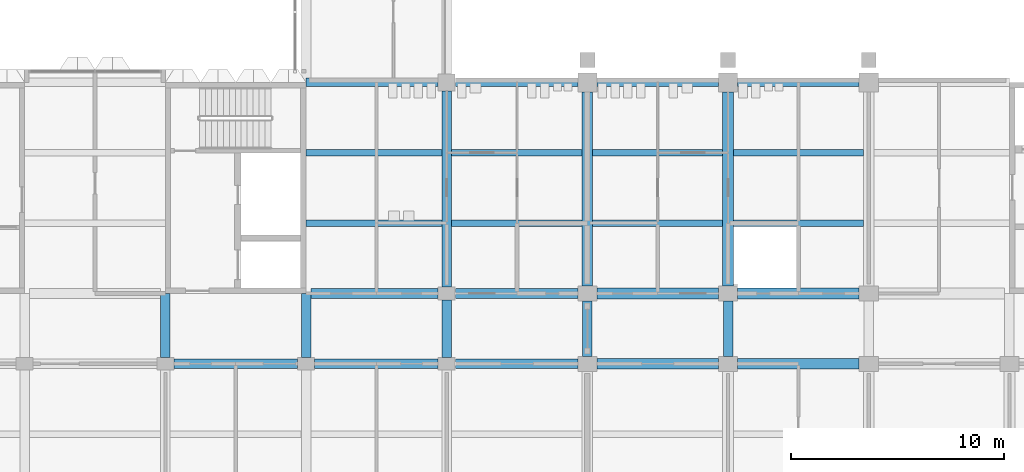
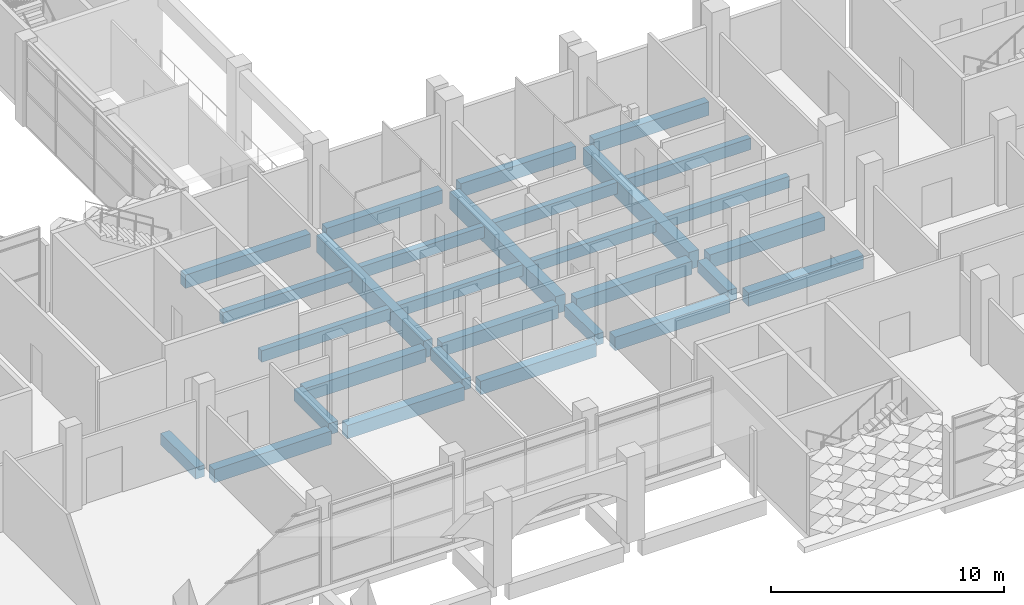
# One storey, part 8 of 87: 29 beams.
"""IFC4 building model written with IfcOpenShell, lengths in metres."""

from ifc_helpers import new_model, si_unit, direction, frame, origin, origin_2d, place, context, subcontext, project, spatial, rectangle, extrude, material, material_profile, profile_set, type_object, element, save


model = new_model("IFC4")

# Units and contexts
model_context = context("Model", 3, precision=1e-05, world=origin(), true_north=direction((0.0, 1.0)))
body_context = subcontext(model_context, "Body", "Model", "MODEL_VIEW")
ifc_project = project(units=[si_unit("LENGTHUNIT", "METRE"), si_unit("AREAUNIT", "SQUARE_METRE"), si_unit("VOLUMEUNIT", "CUBIC_METRE"), si_unit("PLANEANGLEUNIT", "RADIAN"), si_unit("MASSUNIT", "GRAM", prefix="KILO")], contexts=[model_context])

# Site, building, storey
site_placement = place(None, origin())
site = spatial("IfcSite", under=ifc_project, at=site_placement, CompositionType="ELEMENT")
building_placement = place(site_placement, origin())
building = spatial("IfcBuilding", under=site, at=building_placement, Name="Lantern Court Research Institute", CompositionType="ELEMENT")
storey_placement = place(building_placement, frame((0.0, 0.0, 5.39990234375)))
storey = spatial("IfcBuildingStorey", under=building, at=storey_placement, Name="L01", CompositionType="ELEMENT", Elevation=5.39990234375)

# Beams
ifc_material_1 = material(Name="Concrete C40/50", Category="concrete")
ifc_material_profile_1 = material_profile(ifc_material_1, rectangle(XDim=0.449951171875, YDim=0.699951171875, at=origin_2d()), Name="RC beam 450 x 700")
ifc_profile_set_1 = profile_set([ifc_material_profile_1], Name="Concrete C40/50")
beam_type_1 = type_object("IfcBeamType", Name="RC beam 450 x 700", PredefinedType="BEAM", material=ifc_profile_set_1)
for number, where, z_axis, x_axis, name in (
    (1, (33.39990234375, 9.89990234375, -0.64990234375), (1.0, 0.0, 0.0), (0.0, 1.0, 0.0), "Beam L01 grid B/6-7"),
    (2, (40.0, 9.89990234375, -0.64990234375), (1.0, 0.0, 0.0), (0.0, 1.0, 0.0), "Beam L01 grid B/7-8"),
):
    element("IfcBeam", number, at=place(storey_placement, frame(where, z_axis=z_axis, x_axis=x_axis)), inside=storey, type_object=beam_type_1, Name=name, PredefinedType="BEAM", context=body_context, shape_type="SweptSolid", body=[
        extrude(rectangle(XDim=0.449951171875, YDim=0.699951171875, at=origin_2d()), origin(), (0.0, 0.0, 1.0), 5.800048828125),
    ])
beam_1_placement = place(storey_placement, frame((46.60009765625, 9.89990234375, -0.64990234375), z_axis=(1.0, 0.0, 0.0), x_axis=(0.0, 1.0, 0.0)))
element("IfcBeam", 3, at=beam_1_placement, inside=storey, type_object=beam_type_1, Name="Beam L01 grid B/8-9", PredefinedType="BEAM", context=body_context, shape_type="SweptSolid", body=[
    extrude(rectangle(XDim=0.449951171875, YDim=0.699951171875, at=origin_2d()), origin(), (0.0, 0.0, 1.0), 5.75),
])
beam_2_placement = place(storey_placement, frame((39.824951171875, 13.199951171875, -0.64990234375), z_axis=(1.0, 0.0, 0.0), x_axis=(0.0, 1.0, 0.0)))
element("IfcBeam", 4, at=beam_2_placement, inside=storey, type_object=beam_type_1, Name="Beam L01 grid C/7-8", PredefinedType="BEAM", context=body_context, shape_type="SweptSolid", body=[
    extrude(rectangle(XDim=0.449951171875, YDim=0.699951171875, at=origin_2d()), origin(), (0.0, 0.0, 1.0), 5.97509765625),
])
beam_3_placement = place(storey_placement, frame((46.60009765625, 13.199951171875, -0.64990234375), z_axis=(1.0, 0.0, 0.0), x_axis=(0.0, 1.0, 0.0)))
element("IfcBeam", 5, at=beam_3_placement, inside=storey, type_object=beam_type_1, Name="Beam L01 grid C/8-9", PredefinedType="BEAM", context=body_context, shape_type="SweptSolid", body=[
    extrude(rectangle(XDim=0.449951171875, YDim=0.699951171875, at=origin_2d()), origin(), (0.0, 0.0, 1.0), 5.75),
])
ifc_material_2 = material(Name="Concrete C40/50", Category="concrete")
ifc_material_profile_2 = material_profile(ifc_material_2, rectangle(XDim=0.5, YDim=0.699951171875, at=origin_2d()), Name="RC beam 500 x 700")
ifc_profile_set_2 = profile_set([ifc_material_profile_2], Name="Concrete C40/50")
beam_type_2 = type_object("IfcBeamType", Name="RC beam 500 x 700", PredefinedType="BEAM", material=ifc_profile_set_2)
for number, where, z_axis, x_axis, name in (
    (6, (53.25, 9.89990234375, -0.64990234375), (1.0, 0.0, 0.0), (0.0, 1.0, 0.0), "Beam L01 grid B/9-10"),
    (7, (59.85009765625, 9.89990234375, -0.64990234375), (1.0, 0.0, 0.0), (0.0, 1.0, 0.0), "Beam L01 grid B/10-11"),
    (8, (53.25, 13.199951171875, -0.64990234375), (1.0, 0.0, 0.0), (0.0, 1.0, 0.0), "Beam L01 grid C/9-10"),
    (9, (59.85009765625, 13.199951171875, -0.64990234375), (1.0, 0.0, 0.0), (0.0, 1.0, 0.0), "Beam L01 grid C/10-11"),
):
    element("IfcBeam", number, at=place(storey_placement, frame(where, z_axis=z_axis, x_axis=x_axis)), inside=storey, type_object=beam_type_2, Name=name, PredefinedType="BEAM", context=body_context, shape_type="SweptSolid", body=[
        extrude(rectangle(XDim=0.5, YDim=0.699951171875, at=origin_2d()), origin(), (0.0, 0.0, 1.0), 5.699951171875),
    ])
ifc_material_3 = material(Name="Concrete C40/50", Category="concrete")
ifc_material_profile_3 = material_profile(ifc_material_3, rectangle(XDim=0.39990234375, YDim=0.699951171875, at=origin_2d()), Name="RC beam 400 x 700")
ifc_profile_set_3 = profile_set([ifc_material_profile_3], Name="Concrete C40/50")
beam_type_3 = type_object("IfcBeamType", Name="RC edge beam 400 x 700", PredefinedType="BEAM", material=ifc_profile_set_3)
beam_4_placement = place(storey_placement, frame((39.60009765625, 23.10009765625, -0.64990234375), z_axis=(1.0, 0.0, 0.0), x_axis=(0.0, 1.0, 0.0)))
element("IfcBeam", 10, at=beam_4_placement, inside=storey, type_object=beam_type_3, Name="Edge beam L01 grid D/7-8", PredefinedType="BEAM", context=body_context, shape_type="SweptSolid", body=[
    extrude(rectangle(XDim=0.39990234375, YDim=0.699951171875, at=origin_2d()), origin(), (0.0, 0.0, 1.0), 6.199951171875),
])
beam_5_placement = place(storey_placement, frame((46.60009765625, 23.10009765625, -0.64990234375), z_axis=(1.0, 0.0, 0.0), x_axis=(0.0, 1.0, 0.0)))
element("IfcBeam", 11, at=beam_5_placement, inside=storey, type_object=beam_type_3, Name="Edge beam L01 grid D/8-9", PredefinedType="BEAM", context=body_context, shape_type="SweptSolid", body=[
    extrude(rectangle(XDim=0.39990234375, YDim=0.699951171875, at=origin_2d()), origin(), (0.0, 0.0, 1.0), 5.75),
])
for number, where, z_axis, x_axis, name in (
    (12, (53.25, 23.10009765625, -0.64990234375), (1.0, 0.0, 0.0), (0.0, 1.0, 0.0), "Edge beam L01 grid D/9-10"),
    (13, (59.85009765625, 23.10009765625, -0.64990234375), (1.0, 0.0, 0.0), (0.0, 1.0, 0.0), "Edge beam L01 grid D/10-11"),
):
    element("IfcBeam", number, at=place(storey_placement, frame(where, z_axis=z_axis, x_axis=x_axis)), inside=storey, type_object=beam_type_3, Name=name, PredefinedType="BEAM", context=body_context, shape_type="SweptSolid", body=[
        extrude(rectangle(XDim=0.39990234375, YDim=0.699951171875, at=origin_2d()), origin(), (0.0, 0.0, 1.0), 5.699951171875),
    ])
ifc_material_4 = material(Name="Concrete C40/50", Category="concrete")
ifc_material_profile_4 = material_profile(ifc_material_4, rectangle(XDim=0.449951171875, YDim=0.89990234375, at=origin_2d()), Name="RC beam 450 x 900")
ifc_profile_set_4 = profile_set([ifc_material_profile_4], Name="Concrete C40/50")
beam_type_4 = type_object("IfcBeamType", Name="RC girder 450 x 900", PredefinedType="BEAM", material=ifc_profile_set_4)
beam_6_placement = place(storey_placement, frame((46.199951171875, 13.5, -0.75), z_axis=(0.0, 1.0, 0.0), x_axis=(-1.0, 0.0, 0.0)))
element("IfcBeam", 14, at=beam_6_placement, inside=storey, type_object=beam_type_4, Name="Girder L01 grid 8/C-D", PredefinedType="BEAM", context=body_context, shape_type="SweptSolid", body=[
    extrude(rectangle(XDim=0.449951171875, YDim=0.89990234375, at=origin_2d()), origin(), (0.0, 0.0, 1.0), 9.199951171875),
])
ifc_material_5 = material(Name="Concrete C40/50", Category="concrete")
ifc_material_profile_5 = material_profile(ifc_material_5, rectangle(XDim=0.5, YDim=0.89990234375, at=origin_2d()), Name="RC beam 500 x 900")
ifc_profile_set_5 = profile_set([ifc_material_profile_5], Name="Concrete C40/50")
beam_type_5 = type_object("IfcBeamType", Name="RC girder 500 x 900", PredefinedType="BEAM", material=ifc_profile_set_5)
for number, where, z_axis, x_axis, name in (
    (15, (52.800048828125, 13.550048828125, -0.75), (0.0, 1.0, 0.0), (-1.0, 0.0, 0.0), "Girder L01 grid 9/C-D"),
    (16, (59.39990234375, 13.550048828125, -0.75), (0.0, 1.0, 0.0), (-1.0, 0.0, 0.0), "Girder L01 grid 10/C-D"),
):
    element("IfcBeam", number, at=place(storey_placement, frame(where, z_axis=z_axis, x_axis=x_axis)), inside=storey, type_object=beam_type_5, Name=name, PredefinedType="BEAM", context=body_context, shape_type="SweptSolid", body=[
        extrude(rectangle(XDim=0.5, YDim=0.89990234375, at=origin_2d()), origin(), (0.0, 0.0, 1.0), 9.099853515625),
    ])
ifc_material_6 = material(Name="Concrete C40/50", Category="concrete")
ifc_material_profile_6 = material_profile(ifc_material_6, rectangle(XDim=0.300048828125, YDim=0.60009765625, at=origin_2d()), Name="RC beam 300 x 600")
ifc_profile_set_6 = profile_set([ifc_material_profile_6], Name="Concrete C40/50")
beam_type_6 = type_object("IfcBeamType", Name="RC secondary beam 300 x 600", PredefinedType="BEAM", material=ifc_profile_set_6)
beam_7_placement = place(storey_placement, frame((39.60009765625, 16.5, -0.599853515625), z_axis=(1.0, 0.0, 0.0), x_axis=(0.0, 1.0, 0.0)))
element("IfcBeam", 17, at=beam_7_placement, inside=storey, type_object=beam_type_6, Name="Secondary beam L01 grids 7-8 / C-D, line 1", PredefinedType="BEAM", context=body_context, shape_type="SweptSolid", body=[
    extrude(rectangle(XDim=0.300048828125, YDim=0.60009765625, at=origin_2d()), origin(), (0.0, 0.0, 1.0), 6.375),
])
beam_8_placement = place(storey_placement, frame((46.425048828125, 16.5, -0.599853515625), z_axis=(1.0, 0.0, 0.0), x_axis=(0.0, 1.0, 0.0)))
element("IfcBeam", 18, at=beam_8_placement, inside=storey, type_object=beam_type_6, Name="Secondary beam L01 grids 8-9 / C-D, line 1", PredefinedType="BEAM", context=body_context, shape_type="SweptSolid", body=[
    extrude(rectangle(XDim=0.300048828125, YDim=0.60009765625, at=origin_2d()), origin(), (0.0, 0.0, 1.0), 6.125),
])
beam_9_placement = place(storey_placement, frame((39.60009765625, 19.800048828125, -0.599853515625), z_axis=(1.0, 0.0, 0.0), x_axis=(0.0, 1.0, 0.0)))
element("IfcBeam", 19, at=beam_9_placement, inside=storey, type_object=beam_type_6, Name="Secondary beam L01 grids 7-8 / C-D, line 2", PredefinedType="BEAM", context=body_context, shape_type="SweptSolid", body=[
    extrude(rectangle(XDim=0.300048828125, YDim=0.60009765625, at=origin_2d()), origin(), (0.0, 0.0, 1.0), 6.375),
])
beam_10_placement = place(storey_placement, frame((46.425048828125, 19.800048828125, -0.599853515625), z_axis=(1.0, 0.0, 0.0), x_axis=(0.0, 1.0, 0.0)))
element("IfcBeam", 20, at=beam_10_placement, inside=storey, type_object=beam_type_6, Name="Secondary beam L01 grids 8-9 / C-D, line 2", PredefinedType="BEAM", context=body_context, shape_type="SweptSolid", body=[
    extrude(rectangle(XDim=0.300048828125, YDim=0.60009765625, at=origin_2d()), origin(), (0.0, 0.0, 1.0), 6.125),
])
beam_11_placement = place(storey_placement, frame((53.050048828125, 16.5, -0.599853515625), z_axis=(1.0, 0.0, 0.0), x_axis=(0.0, 1.0, 0.0)))
element("IfcBeam", 21, at=beam_11_placement, inside=storey, type_object=beam_type_6, Name="Secondary beam L01 grids 9-10 / C-D, line 1", PredefinedType="BEAM", context=body_context, shape_type="SweptSolid", body=[
    extrude(rectangle(XDim=0.300048828125, YDim=0.60009765625, at=origin_2d()), origin(), (0.0, 0.0, 1.0), 6.099853515625),
])
beam_12_placement = place(storey_placement, frame((59.64990234375, 16.5, -0.599853515625), z_axis=(1.0, 0.0, 0.0), x_axis=(0.0, 1.0, 0.0)))
element("IfcBeam", 22, at=beam_12_placement, inside=storey, type_object=beam_type_6, Name="Secondary beam L01 grids 10-11 / C-D, line 1", PredefinedType="BEAM", context=body_context, shape_type="SweptSolid", body=[
    extrude(rectangle(XDim=0.300048828125, YDim=0.60009765625, at=origin_2d()), origin(), (0.0, 0.0, 1.0), 6.10009765625),
])
beam_13_placement = place(storey_placement, frame((53.050048828125, 19.800048828125, -0.599853515625), z_axis=(1.0, 0.0, 0.0), x_axis=(0.0, 1.0, 0.0)))
element("IfcBeam", 23, at=beam_13_placement, inside=storey, type_object=beam_type_6, Name="Secondary beam L01 grids 9-10 / C-D, line 2", PredefinedType="BEAM", context=body_context, shape_type="SweptSolid", body=[
    extrude(rectangle(XDim=0.300048828125, YDim=0.60009765625, at=origin_2d()), origin(), (0.0, 0.0, 1.0), 6.099853515625),
])
beam_14_placement = place(storey_placement, frame((59.64990234375, 19.800048828125, -0.599853515625), z_axis=(1.0, 0.0, 0.0), x_axis=(0.0, 1.0, 0.0)))
element("IfcBeam", 24, at=beam_14_placement, inside=storey, type_object=beam_type_6, Name="Secondary beam L01 grids 10-11 / C-D, line 2", PredefinedType="BEAM", context=body_context, shape_type="SweptSolid", body=[
    extrude(rectangle(XDim=0.300048828125, YDim=0.60009765625, at=origin_2d()), origin(), (0.0, 0.0, 1.0), 6.10009765625),
])
ifc_material_7 = material(Name="Concrete C40/50", Category="concrete")
ifc_material_profile_7 = material_profile(ifc_material_7, rectangle(XDim=0.449951171875, YDim=0.60009765625, at=origin_2d()), Name="RC beam 450 x 600")
ifc_profile_set_7 = profile_set([ifc_material_profile_7], Name="Concrete C40/50")
beam_type_7 = type_object("IfcBeamType", Name="RC spine beam 450 x 600", PredefinedType="BEAM", material=ifc_profile_set_7)
for number, where, z_axis, x_axis, name in (
    (25, (33.0, 10.199951171875, -0.599853515625), (0.0, 1.0, 0.0), (-1.0, 0.0, 0.0), "Beam L01 grid 6/B-C"),
    (26, (39.60009765625, 10.199951171875, -0.599853515625), (0.0, 1.0, 0.0), (-1.0, 0.0, 0.0), "Beam L01 grid 7/B-C"),
):
    element("IfcBeam", number, at=place(storey_placement, frame(where, z_axis=z_axis, x_axis=x_axis)), inside=storey, type_object=beam_type_7, Name=name, PredefinedType="BEAM", context=body_context, shape_type="SweptSolid", body=[
        extrude(rectangle(XDim=0.449951171875, YDim=0.60009765625, at=origin_2d()), origin(), (0.0, 0.0, 1.0), 3.0),
    ])
beam_15_placement = place(storey_placement, frame((46.199951171875, 10.199951171875, -0.599853515625), z_axis=(0.0, 1.0, 0.0), x_axis=(-1.0, 0.0, 0.0)))
element("IfcBeam", 27, at=beam_15_placement, inside=storey, type_object=beam_type_7, Name="Beam L01 grid 8/B-C", PredefinedType="BEAM", context=body_context, shape_type="SweptSolid", body=[
    extrude(rectangle(XDim=0.449951171875, YDim=0.60009765625, at=origin_2d()), origin(), (0.0, 0.0, 1.0), 2.699951171875),
])
for number, where, z_axis, x_axis, name in (
    (28, (52.800048828125, 10.25, -0.599853515625), (0.0, 1.0, 0.0), (-1.0, 0.0, 0.0), "Beam L01 grid 9/B-C"),
    (29, (59.39990234375, 10.25, -0.599853515625), (0.0, 1.0, 0.0), (-1.0, 0.0, 0.0), "Beam L01 grid 10/B-C"),
):
    element("IfcBeam", number, at=place(storey_placement, frame(where, z_axis=z_axis, x_axis=x_axis)), inside=storey, type_object=beam_type_7, Name=name, PredefinedType="BEAM", context=body_context, shape_type="SweptSolid", body=[
        extrude(rectangle(XDim=0.449951171875, YDim=0.60009765625, at=origin_2d()), origin(), (0.0, 0.0, 1.0), 2.60009765625),
    ])

save(model, "model.ifc")
